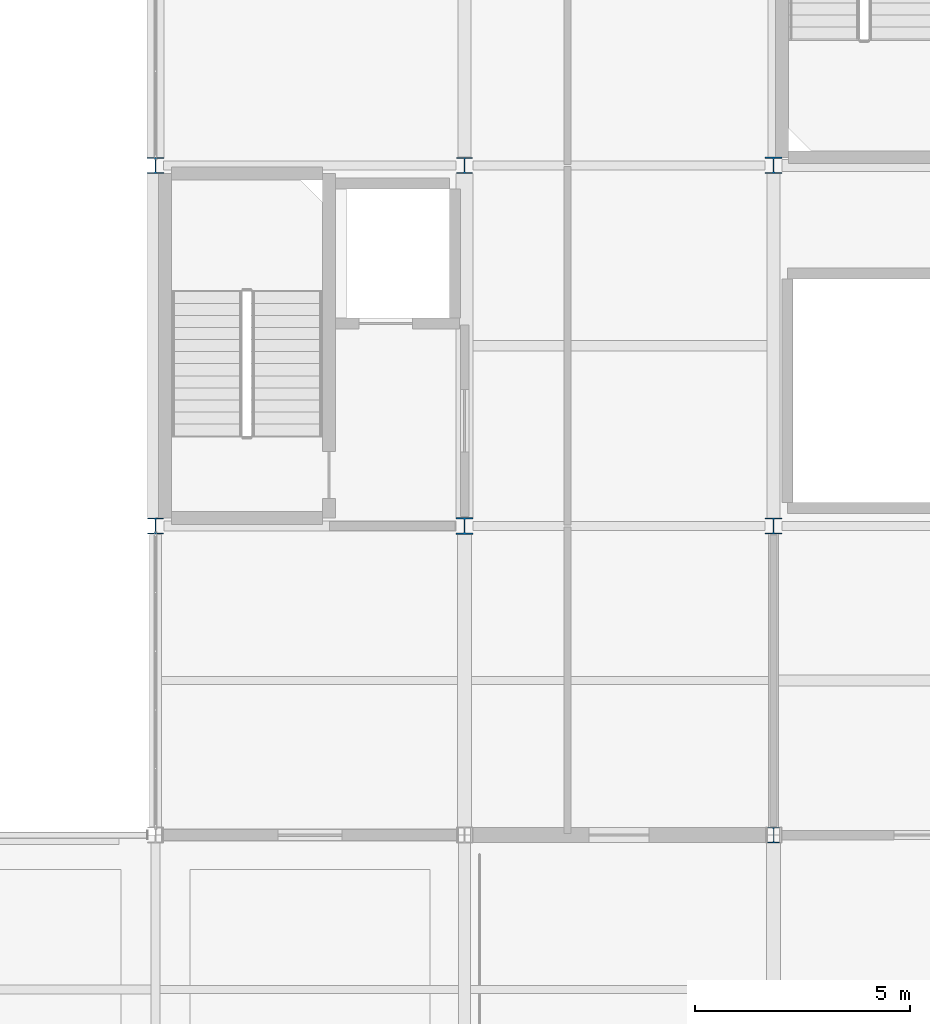
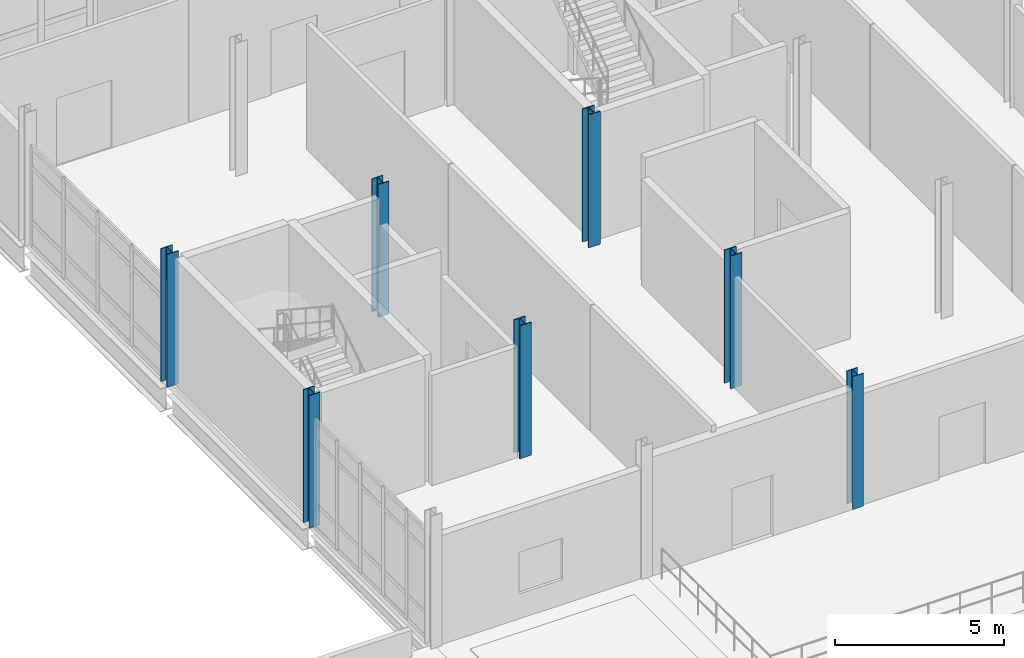
# One storey, part 6 of 153: 7 columns.
"""IFC4 building model written with IfcOpenShell, lengths in metres."""

from ifc_helpers import new_model, si_unit, direction, frame, origin, origin_2d, place, context, subcontext, project, spatial, i_section, extrude, material, material_profile, profile_set, type_object, element, save


model = new_model("IFC4")

# Units and contexts
model_context = context("Model", 3, precision=1e-05, world=origin(), true_north=direction((0.0, 1.0)))
body_context = subcontext(model_context, "Body", "Model", "MODEL_VIEW")
ifc_project = project(units=[si_unit("LENGTHUNIT", "METRE"), si_unit("AREAUNIT", "SQUARE_METRE"), si_unit("VOLUMEUNIT", "CUBIC_METRE"), si_unit("PLANEANGLEUNIT", "RADIAN"), si_unit("MASSUNIT", "GRAM", prefix="KILO")], contexts=[model_context])

# Site, building, storey
site_placement = place(None, origin())
site = spatial("IfcSite", under=ifc_project, at=site_placement, CompositionType="ELEMENT")
building_placement = place(site_placement, origin())
building = spatial("IfcBuilding", under=site, at=building_placement, Name="Calvrana Isthmian Art Gallery", CompositionType="ELEMENT")
storey_placement = place(building_placement, frame((0.0, 0.0, 10.199951171875)))
storey = spatial("IfcBuildingStorey", under=building, at=storey_placement, Name="L02", CompositionType="ELEMENT", Elevation=10.199951171875)

# Columns
ifc_material = material(Name="Steel ASTM A992 Gr 50", Category="steel")
ifc_material_profile_1 = material_profile(ifc_material, i_section(OverallWidth=0.37109375, OverallDepth=0.363037109375, WebThickness=0.01318359375, FlangeThickness=0.021728515625, FilletRadius=0.02490234375, at=origin_2d()), Name="W14X109")
ifc_profile_set_1 = profile_set([ifc_material_profile_1], Name="Steel ASTM A992 Gr 50")
column_type_1 = type_object("IfcColumnType", Name="COL-STL-W14X109", PredefinedType="COLUMN", material=ifc_profile_set_1)
column_1_placement = place(storey_placement, frame((127.199951171875, 14.39990234375, 0.0), z_axis=(0.0, 0.0, 1.0), x_axis=(1.0, 0.0, 0.0)))
element("IfcColumn", 1, at=column_1_placement, inside=storey, type_object=column_type_1, Name="Column 17/C L02", PredefinedType="COLUMN", context=body_context, shape_type="SweptSolid", body=[
    extrude(i_section(OverallWidth=0.37109375, OverallDepth=0.363037109375, WebThickness=0.01318359375, FlangeThickness=0.021728515625, FilletRadius=0.02490234375, at=origin_2d()), origin(), (0.0, 0.0, 1.0), 4.800048828125),
])
ifc_material_profile_2 = material_profile(ifc_material, i_section(OverallWidth=0.373046875, OverallDepth=0.373046875, WebThickness=0.016357421875, FlangeThickness=0.026123046875, FilletRadius=0.02490234375, at=origin_2d()), Name="W14X132")
ifc_profile_set_2 = profile_set([ifc_material_profile_2], Name="Steel ASTM A992 Gr 50")
column_type_2 = type_object("IfcColumnType", Name="COL-STL-W14X132", PredefinedType="COLUMN", material=ifc_profile_set_2)
for number, where, z_axis, x_axis, name in (
    (2, (112.800048828125, 21.60009765625, 0.0), (0.0, 0.0, 1.0), (1.0, 0.0, 0.0), "Column 15/D L02"),
    (3, (120.0, 30.0, 0.0), (0.0, 0.0, 1.0), (1.0, 0.0, 0.0), "Column 16/E L02"),
):
    element("IfcColumn", number, at=place(storey_placement, frame(where, z_axis=z_axis, x_axis=x_axis)), inside=storey, type_object=column_type_2, Name=name, PredefinedType="COLUMN", context=body_context, shape_type="SweptSolid", body=[
        extrude(i_section(OverallWidth=0.373046875, OverallDepth=0.373046875, WebThickness=0.016357421875, FlangeThickness=0.026123046875, FilletRadius=0.02490234375, at=origin_2d()), origin(), (0.0, 0.0, 1.0), 4.800048828125),
    ])
ifc_material_profile_3 = material_profile(ifc_material, i_section(OverallWidth=0.39404296875, OverallDepth=0.3759765625, WebThickness=0.017333984375, FlangeThickness=0.027587890625, FilletRadius=0.02490234375, at=origin_2d()), Name="W14X145")
ifc_profile_set_3 = profile_set([ifc_material_profile_3], Name="Steel ASTM A992 Gr 50")
column_type_3 = type_object("IfcColumnType", Name="COL-STL-W14X145", PredefinedType="COLUMN", material=ifc_profile_set_3)
column_2_placement = place(storey_placement, frame((112.800048828125, 30.0, 0.0), z_axis=(0.0, 0.0, 1.0), x_axis=(1.0, 0.0, 0.0)))
element("IfcColumn", 4, at=column_2_placement, inside=storey, type_object=column_type_3, Name="Column 15/E L02", PredefinedType="COLUMN", context=body_context, shape_type="SweptSolid", body=[
    extrude(i_section(OverallWidth=0.39404296875, OverallDepth=0.3759765625, WebThickness=0.017333984375, FlangeThickness=0.027587890625, FilletRadius=0.02490234375, at=origin_2d()), origin(), (0.0, 0.0, 1.0), 4.800048828125),
])
ifc_material_profile_4 = material_profile(ifc_material, i_section(OverallWidth=0.39599609375, OverallDepth=0.381103515625, WebThickness=0.018798828125, FlangeThickness=0.0302734375, FilletRadius=0.02490234375, at=origin_2d()), Name="W14X159")
ifc_profile_set_4 = profile_set([ifc_material_profile_4], Name="Steel ASTM A992 Gr 50")
column_type_4 = type_object("IfcColumnType", Name="COL-STL-W14X159", PredefinedType="COLUMN", material=ifc_profile_set_4)
column_3_placement = place(storey_placement, frame((127.199951171875, 21.60009765625, 0.0), z_axis=(0.0, 0.0, 1.0), x_axis=(1.0, 0.0, 0.0)))
element("IfcColumn", 5, at=column_3_placement, inside=storey, type_object=column_type_4, Name="Column 17/D L02", PredefinedType="COLUMN", context=body_context, shape_type="SweptSolid", body=[
    extrude(i_section(OverallWidth=0.39599609375, OverallDepth=0.381103515625, WebThickness=0.018798828125, FlangeThickness=0.0302734375, FilletRadius=0.02490234375, at=origin_2d()), origin(), (0.0, 0.0, 1.0), 4.800048828125),
])
ifc_material_profile_5 = material_profile(ifc_material, i_section(OverallWidth=0.39892578125, OverallDepth=0.385986328125, WebThickness=0.02099609375, FlangeThickness=0.033203125, FilletRadius=0.02490234375, at=origin_2d()), Name="W14X176")
ifc_profile_set_5 = profile_set([ifc_material_profile_5], Name="Steel ASTM A992 Gr 50")
column_type_5 = type_object("IfcColumnType", Name="COL-STL-W14X176", PredefinedType="COLUMN", material=ifc_profile_set_5)
for number, where, z_axis, x_axis, name in (
    (6, (120.0, 21.60009765625, 0.0), (0.0, 0.0, 1.0), (1.0, 0.0, 0.0), "Column 16/D L02"),
    (7, (127.199951171875, 30.0, 0.0), (0.0, 0.0, 1.0), (1.0, 0.0, 0.0), "Column 17/E L02"),
):
    element("IfcColumn", number, at=place(storey_placement, frame(where, z_axis=z_axis, x_axis=x_axis)), inside=storey, type_object=column_type_5, Name=name, PredefinedType="COLUMN", context=body_context, shape_type="SweptSolid", body=[
        extrude(i_section(OverallWidth=0.39892578125, OverallDepth=0.385986328125, WebThickness=0.02099609375, FlangeThickness=0.033203125, FilletRadius=0.02490234375, at=origin_2d()), origin(), (0.0, 0.0, 1.0), 4.800048828125),
    ])

save(model, "model.ifc")
